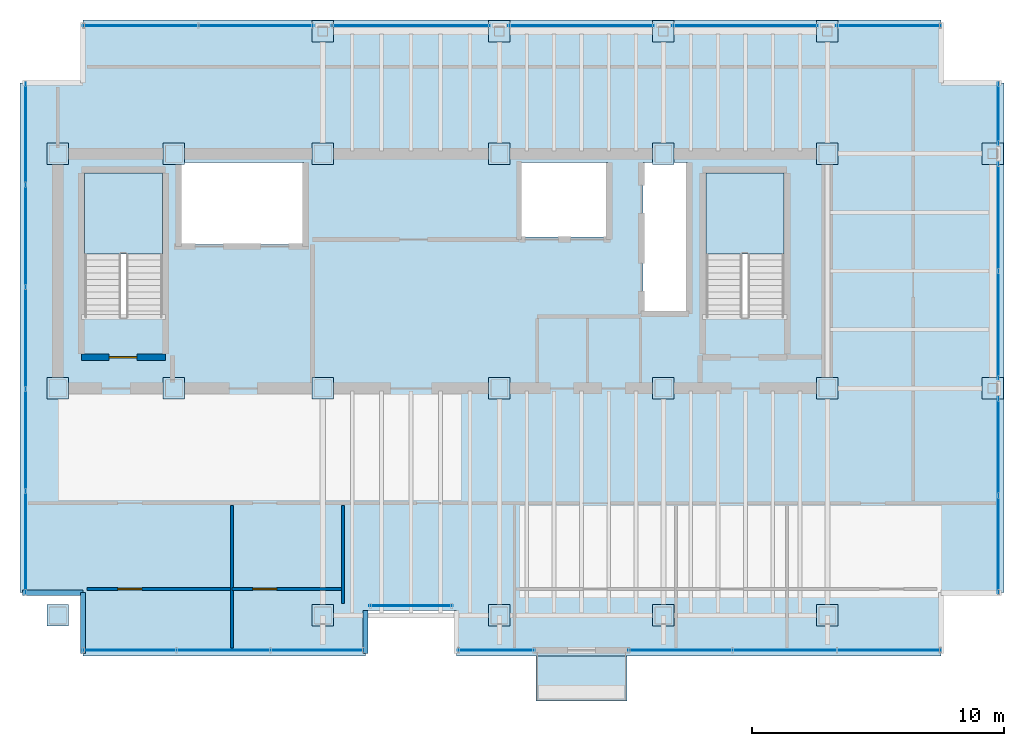
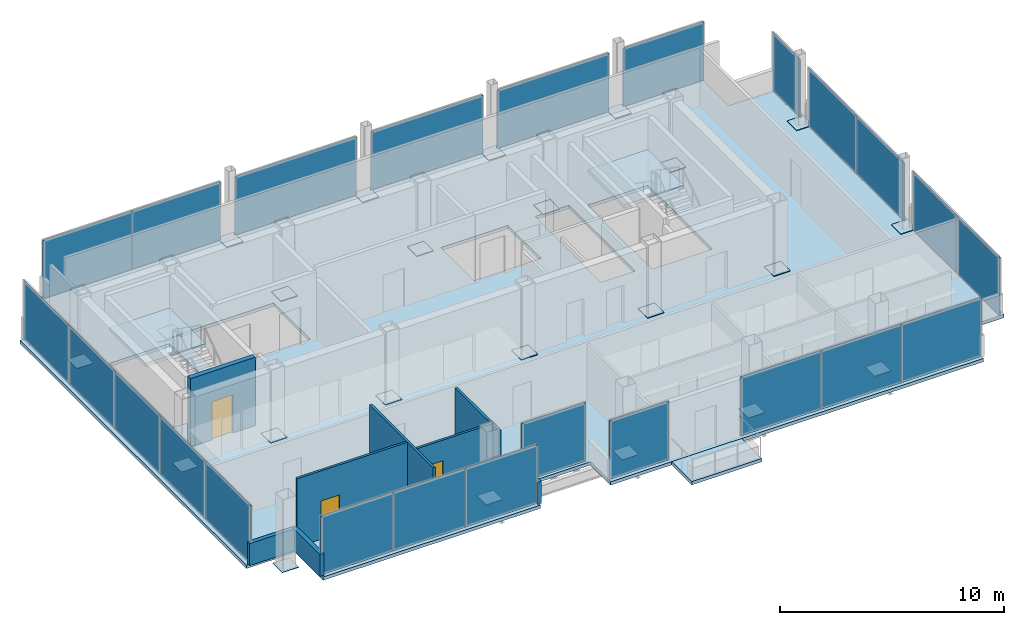
# One storey, part 13 of 17: 47 plates, 8 walls, 4 slabs, 3 doors, 8 openings, 15 elements without a shape of their own.
"""IFC4 building model written with IfcOpenShell, lengths in metres."""

from ifc_helpers import new_model, si_unit, direction, frame, frame_2d, origin, origin_2d, place, context, subcontext, project, spatial, polyline, rectangle, outline, extrude, material, layer, layer_set, type_object, element, fill, aggregate, save


model = new_model("IFC4")

# Units and contexts
model_context = context("Model", 3, precision=1e-05, world=origin(), true_north=direction((0.0, 1.0)))
body_context = subcontext(model_context, "Body", "Model", "MODEL_VIEW")
ifc_project = project(units=[si_unit("LENGTHUNIT", "METRE"), si_unit("AREAUNIT", "SQUARE_METRE"), si_unit("VOLUMEUNIT", "CUBIC_METRE"), si_unit("PLANEANGLEUNIT", "RADIAN"), si_unit("MASSUNIT", "GRAM", prefix="KILO")], contexts=[model_context])

# Site, building, storey
site_placement = place(None, origin())
site = spatial("IfcSite", under=ifc_project, at=site_placement, CompositionType="ELEMENT")
building_placement = place(site_placement, origin())
building = spatial("IfcBuilding", under=site, at=building_placement, Name="Noeulbin Bourse Tower", CompositionType="ELEMENT")
storey_placement = place(building_placement, frame((0.0, 0.0, 289.10009765625)))
storey = spatial("IfcBuildingStorey", under=building, at=storey_placement, Name="L72", CompositionType="ELEMENT", Elevation=289.10009765625)

# Curtain wall, plate
ifc_material_1 = material(Name="High-Selectivity Low-Iron Glazing", Category="glass")
curtain_wall_type = type_object("IfcCurtainWallType", Name="CW-SYS-4", PredefinedType="NOTDEFINED", material=ifc_material_1)
curtain_wall_1_placement = place(storey_placement, origin())
curtain_wall_1 = element("IfcCurtainWall", 1, at=curtain_wall_1_placement, inside=storey, type_object=curtain_wall_type, Name="Unitised Curtain Wall CW-L72-SREC", PredefinedType="NOTDEFINED")
ifc_layer_1 = layer(ifc_material_1, 0.035888671875)
ifc_layer_set_1 = layer_set([ifc_layer_1], Name="High-Selectivity Low-Iron Glazing")
plate_type_1 = type_object("IfcPlateType", Name="CW-SYS-4-PNL", PredefinedType="CURTAIN_PANEL", material=ifc_layer_set_1)
plate_1_placement = place(storey_placement, frame((27.5, 20.3798828125, 0.0), z_axis=(0.0, 0.0, 1.0), x_axis=(1.0, 0.0, 0.0)))
plate_1 = element("IfcPlate", 2, at=plate_1_placement, type_object=plate_type_1, Name="Glazed Curtain Panel CW-L72-SREC-P00", PredefinedType="CURTAIN_PANEL", context=body_context, shape_type="SweptSolid", body=[
    extrude(rectangle(XDim=3.300048828125, YDim=0.035888671875, at=origin_2d()), origin(), (0.0, 0.0, 1.0), 3.179931640625),
])
aggregate(curtain_wall_1, [plate_1])

# Curtain wall, plates
curtain_wall_2_placement = place(storey_placement, origin())
curtain_wall_2 = element("IfcCurtainWall", 3, at=curtain_wall_2_placement, inside=storey, type_object=curtain_wall_type, Name="Unitised Curtain Wall CW-L72-S1", PredefinedType="NOTDEFINED")
plate_2_placement = place(storey_placement, frame((16.341796875, 18.6201171875, 0.0), z_axis=(0.0, 0.0, 1.0), x_axis=(1.0, 0.0, 0.0)))
plate_2 = element("IfcPlate", 4, at=plate_2_placement, type_object=plate_type_1, Name="Glazed Curtain Panel CW-L72-S1-P00", PredefinedType="CURTAIN_PANEL", context=body_context, shape_type="SweptSolid", body=[
    extrude(rectangle(XDim=3.723388671875, YDim=0.035888671875, at=origin_2d()), origin(), (0.0, 0.0, 1.0), 3.179931640625),
])
plate_3_placement = place(storey_placement, frame((20.06494140625, 18.6201171875, 0.0), z_axis=(0.0, 0.0, 1.0), x_axis=(1.0, 0.0, 0.0)))
plate_3 = element("IfcPlate", 5, at=plate_3_placement, type_object=plate_type_1, Name="Glazed Curtain Panel CW-L72-S1-P01", PredefinedType="CURTAIN_PANEL", context=body_context, shape_type="SweptSolid", body=[
    extrude(rectangle(XDim=3.723388671875, YDim=0.035888671875, at=origin_2d()), origin(), (0.0, 0.0, 1.0), 3.179931640625),
])
plate_4_placement = place(storey_placement, frame((23.788330078125, 18.6201171875, 0.0), z_axis=(0.0, 0.0, 1.0), x_axis=(1.0, 0.0, 0.0)))
plate_4 = element("IfcPlate", 6, at=plate_4_placement, type_object=plate_type_1, Name="Glazed Curtain Panel CW-L72-S1-P02", PredefinedType="CURTAIN_PANEL", context=body_context, shape_type="SweptSolid", body=[
    extrude(rectangle(XDim=3.723388671875, YDim=0.035888671875, at=origin_2d()), origin(), (0.0, 0.0, 1.0), 3.179931640625),
])
aggregate(curtain_wall_2, [plate_2, plate_3, plate_4])

# Curtain wall, plate
curtain_wall_3_placement = place(storey_placement, origin())
curtain_wall_3 = element("IfcCurtainWall", 7, at=curtain_wall_3_placement, inside=storey, type_object=curtain_wall_type, Name="Unitised Curtain Wall CW-L72-S2", PredefinedType="NOTDEFINED")
plate_5_placement = place(storey_placement, frame((30.875, 18.6201171875, 0.0), z_axis=(0.0, 0.0, 1.0), x_axis=(1.0, 0.0, 0.0)))
plate_5 = element("IfcPlate", 8, at=plate_5_placement, type_object=plate_type_1, Name="Glazed Curtain Panel CW-L72-S2-P00", PredefinedType="CURTAIN_PANEL", context=body_context, shape_type="SweptSolid", body=[
    extrude(rectangle(XDim=3.050048828125, YDim=0.035888671875, at=origin_2d()), origin(), (0.0, 0.0, 1.0), 3.179931640625),
])
aggregate(curtain_wall_3, [plate_5])

# Curtain wall, plates
curtain_wall_4_placement = place(storey_placement, origin())
curtain_wall_4 = element("IfcCurtainWall", 9, at=curtain_wall_4_placement, inside=storey, type_object=curtain_wall_type, Name="Unitised Curtain Wall CW-L72-S3", PredefinedType="NOTDEFINED")
plate_6_placement = place(storey_placement, frame((38.169921875, 18.6201171875, 0.0), z_axis=(0.0, 0.0, 1.0), x_axis=(1.0, 0.0, 0.0)))
plate_6 = element("IfcPlate", 10, at=plate_6_placement, type_object=plate_type_1, Name="Glazed Curtain Panel CW-L72-S3-P00", PredefinedType="CURTAIN_PANEL", context=body_context, shape_type="SweptSolid", body=[
    extrude(rectangle(XDim=4.139892578125, YDim=0.035888671875, at=origin_2d()), origin(), (0.0, 0.0, 1.0), 3.179931640625),
])
plate_7_placement = place(storey_placement, frame((42.31005859375, 18.6201171875, 0.0), z_axis=(0.0, 0.0, 1.0), x_axis=(1.0, 0.0, 0.0)))
plate_7 = element("IfcPlate", 11, at=plate_7_placement, type_object=plate_type_1, Name="Glazed Curtain Panel CW-L72-S3-P01", PredefinedType="CURTAIN_PANEL", context=body_context, shape_type="SweptSolid", body=[
    extrude(rectangle(XDim=4.139892578125, YDim=0.035888671875, at=origin_2d()), origin(), (0.0, 0.0, 1.0), 3.179931640625),
])
plate_8_placement = place(storey_placement, frame((46.449951171875, 18.6201171875, 0.0), z_axis=(0.0, 0.0, 1.0), x_axis=(1.0, 0.0, 0.0)))
plate_8 = element("IfcPlate", 12, at=plate_8_placement, type_object=plate_type_1, Name="Glazed Curtain Panel CW-L72-S3-P02", PredefinedType="CURTAIN_PANEL", context=body_context, shape_type="SweptSolid", body=[
    extrude(rectangle(XDim=4.139892578125, YDim=0.035888671875, at=origin_2d()), origin(), (0.0, 0.0, 1.0), 3.179931640625),
])
aggregate(curtain_wall_4, [plate_6, plate_7, plate_8])

curtain_wall_5_placement = place(storey_placement, origin())
curtain_wall_5 = element("IfcCurtainWall", 13, at=curtain_wall_5_placement, inside=storey, type_object=curtain_wall_type, Name="Unitised Curtain Wall CW-L72-N-S1", PredefinedType="NOTDEFINED")
plate_9_placement = place(storey_placement, frame((16.77001953125, 43.3798828125, 0.0), z_axis=(0.0, 0.0, 1.0), x_axis=(1.0, 0.0, 0.0)))
plate_9 = element("IfcPlate", 14, at=plate_9_placement, type_object=plate_type_1, Name="Glazed Curtain Panel CW-L72-N-S1-P00", PredefinedType="CURTAIN_PANEL", context=body_context, shape_type="SweptSolid", body=[
    extrude(rectangle(XDim=4.580078125, YDim=0.035888671875, at=origin_2d()), origin(), (0.0, 0.0, 1.0), 3.179931640625),
])
plate_10_placement = place(storey_placement, frame((21.35009765625, 43.3798828125, 0.0), z_axis=(0.0, 0.0, 1.0), x_axis=(1.0, 0.0, 0.0)))
plate_10 = element("IfcPlate", 15, at=plate_10_placement, type_object=plate_type_1, Name="Glazed Curtain Panel CW-L72-N-S1-P01", PredefinedType="CURTAIN_PANEL", context=body_context, shape_type="SweptSolid", body=[
    extrude(rectangle(XDim=4.580078125, YDim=0.035888671875, at=origin_2d()), origin(), (0.0, 0.0, 1.0), 3.179931640625),
])
aggregate(curtain_wall_5, [plate_9, plate_10])

# Curtain wall, plate
curtain_wall_6_placement = place(storey_placement, origin())
curtain_wall_6 = element("IfcCurtainWall", 16, at=curtain_wall_6_placement, inside=storey, type_object=curtain_wall_type, Name="Unitised Curtain Wall CW-L72-N-S2", PredefinedType="NOTDEFINED")
plate_11_placement = place(storey_placement, frame((27.5, 43.3798828125, 0.0), z_axis=(0.0, 0.0, 1.0), x_axis=(1.0, 0.0, 0.0)))
plate_11 = element("IfcPlate", 17, at=plate_11_placement, type_object=plate_type_1, Name="Glazed Curtain Panel CW-L72-N-S2-P00", PredefinedType="CURTAIN_PANEL", context=body_context, shape_type="SweptSolid", body=[
    extrude(rectangle(XDim=6.280029296875, YDim=0.035888671875, at=origin_2d()), origin(), (0.0, 0.0, 1.0), 3.179931640625),
])
aggregate(curtain_wall_6, [plate_11])

curtain_wall_7_placement = place(storey_placement, origin())
curtain_wall_7 = element("IfcCurtainWall", 18, at=curtain_wall_7_placement, inside=storey, type_object=curtain_wall_type, Name="Unitised Curtain Wall CW-L72-N-S3", PredefinedType="NOTDEFINED")
plate_12_placement = place(storey_placement, frame((34.25, 43.3798828125, 0.0), z_axis=(0.0, 0.0, 1.0), x_axis=(1.0, 0.0, 0.0)))
plate_12 = element("IfcPlate", 19, at=plate_12_placement, type_object=plate_type_1, Name="Glazed Curtain Panel CW-L72-N-S3-P00", PredefinedType="CURTAIN_PANEL", context=body_context, shape_type="SweptSolid", body=[
    extrude(rectangle(XDim=5.780029296875, YDim=0.035888671875, at=origin_2d()), origin(), (0.0, 0.0, 1.0), 3.179931640625),
])
aggregate(curtain_wall_7, [plate_12])

curtain_wall_8_placement = place(storey_placement, origin())
curtain_wall_8 = element("IfcCurtainWall", 20, at=curtain_wall_8_placement, inside=storey, type_object=curtain_wall_type, Name="Unitised Curtain Wall CW-L72-N-S4", PredefinedType="NOTDEFINED")
plate_13_placement = place(storey_placement, frame((40.75, 43.3798828125, 0.0), z_axis=(0.0, 0.0, 1.0), x_axis=(1.0, 0.0, 0.0)))
plate_13 = element("IfcPlate", 21, at=plate_13_placement, type_object=plate_type_1, Name="Glazed Curtain Panel CW-L72-N-S4-P00", PredefinedType="CURTAIN_PANEL", context=body_context, shape_type="SweptSolid", body=[
    extrude(rectangle(XDim=5.780029296875, YDim=0.035888671875, at=origin_2d()), origin(), (0.0, 0.0, 1.0), 3.179931640625),
])
aggregate(curtain_wall_8, [plate_13])

curtain_wall_9_placement = place(storey_placement, origin())
curtain_wall_9 = element("IfcCurtainWall", 22, at=curtain_wall_9_placement, inside=storey, type_object=curtain_wall_type, Name="Unitised Curtain Wall CW-L72-N-S5", PredefinedType="NOTDEFINED")
plate_14_placement = place(storey_placement, frame((46.43994140625, 43.3798828125, 0.0), z_axis=(0.0, 0.0, 1.0), x_axis=(1.0, 0.0, 0.0)))
plate_14 = element("IfcPlate", 23, at=plate_14_placement, type_object=plate_type_1, Name="Glazed Curtain Panel CW-L72-N-S5-P00", PredefinedType="CURTAIN_PANEL", context=body_context, shape_type="SweptSolid", body=[
    extrude(rectangle(XDim=4.159912109375, YDim=0.035888671875, at=origin_2d()), origin(), (0.0, 0.0, 1.0), 3.179931640625),
])
aggregate(curtain_wall_9, [plate_14])

# Curtain wall, plates
curtain_wall_10_placement = place(storey_placement, origin())
curtain_wall_10 = element("IfcCurtainWall", 24, at=curtain_wall_10_placement, inside=storey, type_object=curtain_wall_type, Name="Unitised Curtain Wall CW-L72-W", PredefinedType="NOTDEFINED")
plate_15_placement = place(storey_placement, frame((12.219970703125, 22.904052734375, 0.0), z_axis=(0.0, 0.0, 1.0), x_axis=(0.0, 1.0, 0.0)))
plate_15 = element("IfcPlate", 25, at=plate_15_placement, type_object=plate_type_1, Name="Glazed Curtain Panel CW-L72-W-P00", PredefinedType="CURTAIN_PANEL", context=body_context, shape_type="SweptSolid", body=[
    extrude(rectangle(XDim=4.048095703125, YDim=0.035888671875, at=origin_2d()), origin(), (0.0, 0.0, 1.0), 3.179931640625),
])
plate_16_placement = place(storey_placement, frame((12.219970703125, 26.951904296875, 0.0), z_axis=(0.0, 0.0, 1.0), x_axis=(0.0, 1.0, 0.0)))
plate_16 = element("IfcPlate", 26, at=plate_16_placement, type_object=plate_type_1, Name="Glazed Curtain Panel CW-L72-W-P01", PredefinedType="CURTAIN_PANEL", context=body_context, shape_type="SweptSolid", body=[
    extrude(rectangle(XDim=4.048095703125, YDim=0.035888671875, at=origin_2d()), origin(), (0.0, 0.0, 1.0), 3.179931640625),
])
plate_17_placement = place(storey_placement, frame((12.219970703125, 31.0, 0.0), z_axis=(0.0, 0.0, 1.0), x_axis=(0.0, 1.0, 0.0)))
plate_17 = element("IfcPlate", 27, at=plate_17_placement, type_object=plate_type_1, Name="Glazed Curtain Panel CW-L72-W-P02", PredefinedType="CURTAIN_PANEL", context=body_context, shape_type="SweptSolid", body=[
    extrude(rectangle(XDim=4.048095703125, YDim=0.035888671875, at=origin_2d()), origin(), (0.0, 0.0, 1.0), 3.179931640625),
])
plate_18_placement = place(storey_placement, frame((12.219970703125, 35.048095703125, 0.0), z_axis=(0.0, 0.0, 1.0), x_axis=(0.0, 1.0, 0.0)))
plate_18 = element("IfcPlate", 28, at=plate_18_placement, type_object=plate_type_1, Name="Glazed Curtain Panel CW-L72-W-P03", PredefinedType="CURTAIN_PANEL", context=body_context, shape_type="SweptSolid", body=[
    extrude(rectangle(XDim=4.048095703125, YDim=0.035888671875, at=origin_2d()), origin(), (0.0, 0.0, 1.0), 3.179931640625),
])
plate_19_placement = place(storey_placement, frame((12.219970703125, 39.095947265625, 0.0), z_axis=(0.0, 0.0, 1.0), x_axis=(0.0, 1.0, 0.0)))
plate_19 = element("IfcPlate", 29, at=plate_19_placement, type_object=plate_type_1, Name="Glazed Curtain Panel CW-L72-W-P04", PredefinedType="CURTAIN_PANEL", context=body_context, shape_type="SweptSolid", body=[
    extrude(rectangle(XDim=4.048095703125, YDim=0.035888671875, at=origin_2d()), origin(), (0.0, 0.0, 1.0), 3.179931640625),
])
aggregate(curtain_wall_10, [plate_15, plate_16, plate_17, plate_18, plate_19])

curtain_wall_11_placement = place(storey_placement, origin())
curtain_wall_11 = element("IfcCurtainWall", 30, at=curtain_wall_11_placement, inside=storey, type_object=curtain_wall_type, Name="Unitised Curtain Wall CW-L72-E-S1", PredefinedType="NOTDEFINED")
plate_20_placement = place(storey_placement, frame((50.780029296875, 22.820068359375, 0.0), z_axis=(0.0, 0.0, 1.0), x_axis=(0.0, 1.0, 0.0)))
plate_20 = element("IfcPlate", 31, at=plate_20_placement, type_object=plate_type_1, Name="Glazed Curtain Panel CW-L72-E-S1-P00", PredefinedType="CURTAIN_PANEL", context=body_context, shape_type="SweptSolid", body=[
    extrude(rectangle(XDim=3.8798828125, YDim=0.035888671875, at=origin_2d()), origin(), (0.0, 0.0, 1.0), 3.179931640625),
])
plate_21_placement = place(storey_placement, frame((50.780029296875, 26.699951171875, 0.0), z_axis=(0.0, 0.0, 1.0), x_axis=(0.0, 1.0, 0.0)))
plate_21 = element("IfcPlate", 32, at=plate_21_placement, type_object=plate_type_1, Name="Glazed Curtain Panel CW-L72-E-S1-P01", PredefinedType="CURTAIN_PANEL", context=body_context, shape_type="SweptSolid", body=[
    extrude(rectangle(XDim=3.8798828125, YDim=0.035888671875, at=origin_2d()), origin(), (0.0, 0.0, 1.0), 3.179931640625),
])
aggregate(curtain_wall_11, [plate_20, plate_21])

curtain_wall_12_placement = place(storey_placement, origin())
curtain_wall_12 = element("IfcCurtainWall", 33, at=curtain_wall_12_placement, inside=storey, type_object=curtain_wall_type, Name="Unitised Curtain Wall CW-L72-E-S2", PredefinedType="NOTDEFINED")
plate_22_placement = place(storey_placement, frame((50.780029296875, 31.5048828125, 0.0), z_axis=(0.0, 0.0, 1.0), x_axis=(0.0, 1.0, 0.0)))
plate_22 = element("IfcPlate", 34, at=plate_22_placement, type_object=plate_type_1, Name="Glazed Curtain Panel CW-L72-E-S2-P00", PredefinedType="CURTAIN_PANEL", context=body_context, shape_type="SweptSolid", body=[
    extrude(rectangle(XDim=4.2900390625, YDim=0.035888671875, at=origin_2d()), origin(), (0.0, 0.0, 1.0), 3.179931640625),
])
plate_23_placement = place(storey_placement, frame((50.780029296875, 35.794921875, 0.0), z_axis=(0.0, 0.0, 1.0), x_axis=(0.0, 1.0, 0.0)))
plate_23 = element("IfcPlate", 35, at=plate_23_placement, type_object=plate_type_1, Name="Glazed Curtain Panel CW-L72-E-S2-P01", PredefinedType="CURTAIN_PANEL", context=body_context, shape_type="SweptSolid", body=[
    extrude(rectangle(XDim=4.2900390625, YDim=0.035888671875, at=origin_2d()), origin(), (0.0, 0.0, 1.0), 3.179931640625),
])
aggregate(curtain_wall_12, [plate_22, plate_23])

# Curtain wall, plate
curtain_wall_13_placement = place(storey_placement, origin())
curtain_wall_13 = element("IfcCurtainWall", 36, at=curtain_wall_13_placement, inside=storey, type_object=curtain_wall_type, Name="Unitised Curtain Wall CW-L72-E-S3", PredefinedType="NOTDEFINED")
plate_24_placement = place(storey_placement, frame((50.780029296875, 39.889892578125, 0.0), z_axis=(0.0, 0.0, 1.0), x_axis=(0.0, 1.0, 0.0)))
plate_24 = element("IfcPlate", 37, at=plate_24_placement, type_object=plate_type_1, Name="Glazed Curtain Panel CW-L72-E-S3-P00", PredefinedType="CURTAIN_PANEL", context=body_context, shape_type="SweptSolid", body=[
    extrude(rectangle(XDim=2.4599609375, YDim=0.035888671875, at=origin_2d()), origin(), (0.0, 0.0, 1.0), 3.179931640625),
])
aggregate(curtain_wall_13, [plate_24])

# Plates
ifc_material_2 = material(Name="Steel S355", Category="steel")
ifc_layer_2 = layer(ifc_material_2, 0.030029296875)
ifc_layer_set_2 = layer_set([ifc_layer_2], Name="Steel S355")
plate_type_2 = type_object("IfcPlateType", Name="PLT-BN1", PredefinedType="USERDEFINED", material=ifc_layer_set_2)
for number, where, z_axis, x_axis, name in (
    (38, (13.5, 29.0, 0.0048828125), (0.0, 0.0, 1.0), (1.0, 0.0, 0.0), "Mega-Column Splice Plate BN1-L72-01"),
    (39, (13.5, 38.300048828125, 0.0048828125), (0.0, 0.0, 1.0), (1.0, 0.0, 0.0), "Mega-Column Splice Plate BN1-L72-02"),
    (40, (18.10009765625, 29.0, 0.0048828125), (0.0, 0.0, 1.0), (1.0, 0.0, 0.0), "Mega-Column Splice Plate BN1-L72-03"),
    (41, (18.10009765625, 38.300048828125, 0.0048828125), (0.0, 0.0, 1.0), (1.0, 0.0, 0.0), "Mega-Column Splice Plate BN1-L72-04"),
    (42, (24.0, 29.0, 0.0048828125), (0.0, 0.0, 1.0), (1.0, 0.0, 0.0), "Mega-Column Splice Plate BN1-L72-05"),
    (43, (24.0, 38.300048828125, 0.0048828125), (0.0, 0.0, 1.0), (1.0, 0.0, 0.0), "Mega-Column Splice Plate BN1-L72-06"),
    (44, (31.0, 29.0, 0.0048828125), (0.0, 0.0, 1.0), (1.0, 0.0, 0.0), "Mega-Column Splice Plate BN1-L72-07"),
    (45, (31.0, 38.300048828125, 0.0048828125), (0.0, 0.0, 1.0), (1.0, 0.0, 0.0), "Mega-Column Splice Plate BN1-L72-08"),
    (46, (37.5, 29.0, 0.0048828125), (0.0, 0.0, 1.0), (1.0, 0.0, 0.0), "Mega-Column Splice Plate BN1-L72-09"),
    (47, (37.5, 38.300048828125, 0.0048828125), (0.0, 0.0, 1.0), (1.0, 0.0, 0.0), "Mega-Column Splice Plate BN1-L72-10"),
    (48, (44.0, 29.0, 0.0048828125), (0.0, 0.0, 1.0), (1.0, 0.0, 0.0), "Mega-Column Splice Plate BN1-L72-11"),
    (49, (44.0, 38.300048828125, 0.0048828125), (0.0, 0.0, 1.0), (1.0, 0.0, 0.0), "Mega-Column Splice Plate BN1-L72-12"),
    (50, (13.5, 20.0, 0.0048828125), (0.0, 0.0, 1.0), (1.0, 0.0, 0.0), "Mega-Column Splice Plate BN1-L72-13"),
    (51, (24.0, 20.0, 0.0048828125), (0.0, 0.0, 1.0), (1.0, 0.0, 0.0), "Mega-Column Splice Plate BN1-L72-14"),
    (52, (31.0, 20.0, 0.0048828125), (0.0, 0.0, 1.0), (1.0, 0.0, 0.0), "Mega-Column Splice Plate BN1-L72-15"),
    (53, (37.5, 20.0, 0.0048828125), (0.0, 0.0, 1.0), (1.0, 0.0, 0.0), "Mega-Column Splice Plate BN1-L72-16"),
    (54, (44.0, 20.0, 0.0048828125), (0.0, 0.0, 1.0), (1.0, 0.0, 0.0), "Mega-Column Splice Plate BN1-L72-17"),
    (55, (24.0, 43.14990234375, 0.0048828125), (0.0, 0.0, 1.0), (1.0, 0.0, 0.0), "Perimeter Column Splice Plate BN1-L72-01"),
    (56, (31.0, 43.14990234375, 0.0048828125), (0.0, 0.0, 1.0), (1.0, 0.0, 0.0), "Perimeter Column Splice Plate BN1-L72-02"),
    (57, (37.5, 43.14990234375, 0.0048828125), (0.0, 0.0, 1.0), (1.0, 0.0, 0.0), "Perimeter Column Splice Plate BN1-L72-03"),
    (58, (44.0, 43.14990234375, 0.0048828125), (0.0, 0.0, 1.0), (1.0, 0.0, 0.0), "Perimeter Column Splice Plate BN1-L72-04"),
    (59, (50.550048828125, 29.0, 0.0048828125), (0.0, 0.0, 1.0), (1.0, 0.0, 0.0), "Perimeter Column Splice Plate BN1-L72-05"),
    (60, (50.550048828125, 38.300048828125, 0.0048828125), (0.0, 0.0, 1.0), (1.0, 0.0, 0.0), "Perimeter Column Splice Plate BN1-L72-06"),
):
    element("IfcPlate", number, at=place(storey_placement, frame(where, z_axis=z_axis, x_axis=x_axis)), inside=storey, type_object=plate_type_2, Name=name, ObjectType="SPLICE PLATE", PredefinedType="USERDEFINED", context=body_context, shape_type="SweptSolid", body=[
        extrude(rectangle(XDim=0.85009765625, YDim=0.85009765625, at=origin_2d()), origin(), (0.0, 0.0, 1.0), 0.030029296875),
    ])

# Stair, slab
ifc_material_3 = material(Name="Concrete C40/50", Category="concrete")
stair_type = type_object("IfcStairType", Name="STR-CORE-1560", PredefinedType="HALF_TURN_STAIR", material=ifc_material_3)
stair_1_placement = place(storey_placement, origin())
stair_1 = element("IfcStair", 61, at=stair_1_placement, inside=storey, type_object=stair_type, Name="L72 ST-1", PredefinedType="HALF_TURN_STAIR")
ifc_layer_3 = layer(ifc_material_3, 0.199951171875)
ifc_layer_set_3 = layer_set([ifc_layer_3], Name="Concrete C40/50")
slab_type_1 = type_object("IfcSlabType", Name="SLB-LND-200", PredefinedType="LANDING", material=ifc_layer_set_3)
slab_1_placement = place(storey_placement, frame((0.0, 0.0, 1.75)))
slab_1 = element("IfcSlab", 62, at=slab_1_placement, type_object=slab_type_1, Name="ST-1 landing 1", PredefinedType="LANDING", context=body_context, shape_type="SweptSolid", body=[
    extrude(outline(polyline([(17.64990234375, 34.330078125), (17.64990234375, 37.5439453125), (14.550048828125, 37.5439453125), (14.550048828125, 34.330078125), (17.64990234375, 34.330078125)])), origin(), (0.0, 0.0, 1.0), 0.199951171875),
])
aggregate(stair_1, [slab_1])

stair_2_placement = place(storey_placement, origin())
stair_2 = element("IfcStair", 63, at=stair_2_placement, inside=storey, type_object=stair_type, Name="L72 ST-2", PredefinedType="HALF_TURN_STAIR")
slab_2_placement = place(storey_placement, frame((0.0, 0.0, 1.75)))
slab_2 = element("IfcSlab", 64, at=slab_2_placement, type_object=slab_type_1, Name="ST-2 landing 1", PredefinedType="LANDING", context=body_context, shape_type="SweptSolid", body=[
    extrude(outline(polyline([(42.280029296875, 34.330078125), (42.280029296875, 37.5439453125), (39.179931640625, 37.5439453125), (39.179931640625, 34.330078125), (42.280029296875, 34.330078125)])), origin(), (0.0, 0.0, 1.0), 0.199951171875),
])
aggregate(stair_2, [slab_2])

# Slab, openings
ifc_layer_4 = layer(ifc_material_3, 0.179931640625)
ifc_layer_set_4 = layer_set([ifc_layer_4], Name="Concrete C40/50")
slab_type_2 = type_object("IfcSlabType", Name="SLB-TYP-180", PredefinedType="FLOOR", material=ifc_layer_set_4)
slab_3_placement = place(storey_placement, frame((0.0, 0.0, -0.18017578125)))
slab_3 = element("IfcSlab", 65, at=slab_3_placement, inside=storey, type_object=slab_type_2, Name="Tower Structural Floor Slab L72", PredefinedType="FLOOR", context=body_context, shape_type="SweptSolid", body=[
    extrude(outline(polyline([(14.5, 18.39990234375), (25.699951171875, 18.39990234375), (25.699951171875, 20.199951171875), (29.300048828125, 20.199951171875), (29.300048828125, 18.39990234375), (48.5, 18.39990234375), (48.5, 20.89990234375), (51.0, 20.89990234375), (51.0, 41.10009765625), (48.5, 41.10009765625), (48.5, 43.60009765625), (14.5, 43.60009765625), (14.5, 41.10009765625), (12.0, 41.10009765625), (12.0, 20.89990234375), (14.5, 20.89990234375), (14.5, 18.39990234375)]), holes=[polyline([(17.64990234375, 31.81005859375), (17.64990234375, 37.5439453125), (14.550048828125, 37.5439453125), (14.550048828125, 31.81005859375), (17.64990234375, 31.81005859375)]), polyline([(42.280029296875, 31.81005859375), (42.280029296875, 37.5439453125), (39.179931640625, 37.5439453125), (39.179931640625, 31.81005859375), (42.280029296875, 31.81005859375)]), polyline([(18.35009765625, 34.699951171875), (23.25, 34.699951171875), (23.25, 37.949951171875), (18.35009765625, 37.949951171875), (18.35009765625, 34.699951171875)]), polyline([(36.699951171875, 32.050048828125), (38.449951171875, 32.050048828125), (38.449951171875, 37.949951171875), (36.699951171875, 37.949951171875), (36.699951171875, 32.050048828125)]), polyline([(31.85009765625, 35.0), (35.300048828125, 35.0), (35.300048828125, 37.949951171875), (31.85009765625, 37.949951171875), (31.85009765625, 35.0)])]), origin(), (0.0, 0.0, 1.0), 0.18017578125),
])
opening_1_placement = place(slab_3_placement, frame((0.0, 0.0, -0.010009765625)))
element("IfcOpeningElement", 66, at=opening_1_placement, cuts=slab_3, Name="Slab Shaft Opening SLB-L72-TWR-1", PredefinedType="OPENING", context=body_context, shape_type="SweptSolid", body=[
    extrude(outline(polyline([(17.64990234375, 31.81005859375), (17.64990234375, 37.5439453125), (14.550048828125, 37.5439453125), (14.550048828125, 31.81005859375), (17.64990234375, 31.81005859375)])), origin(), (0.0, 0.0, 1.0), 0.2001953125),
])
opening_2_placement = place(slab_3_placement, frame((0.0, 0.0, -0.010009765625)))
element("IfcOpeningElement", 67, at=opening_2_placement, cuts=slab_3, Name="Slab Shaft Opening SLB-L72-TWR-2", PredefinedType="OPENING", context=body_context, shape_type="SweptSolid", body=[
    extrude(outline(polyline([(42.280029296875, 31.81005859375), (42.280029296875, 37.5439453125), (39.179931640625, 37.5439453125), (39.179931640625, 31.81005859375), (42.280029296875, 31.81005859375)])), origin(), (0.0, 0.0, 1.0), 0.2001953125),
])
opening_3_placement = place(slab_3_placement, frame((0.0, 0.0, -0.010009765625)))
element("IfcOpeningElement", 68, at=opening_3_placement, cuts=slab_3, Name="Slab Shaft Opening SLB-L72-TWR-3", PredefinedType="OPENING", context=body_context, shape_type="SweptSolid", body=[
    extrude(outline(polyline([(18.35009765625, 34.699951171875), (23.25, 34.699951171875), (23.25, 37.949951171875), (18.35009765625, 37.949951171875), (18.35009765625, 34.699951171875)])), origin(), (0.0, 0.0, 1.0), 0.2001953125),
])
opening_4_placement = place(slab_3_placement, frame((0.0, 0.0, -0.010009765625)))
element("IfcOpeningElement", 69, at=opening_4_placement, cuts=slab_3, Name="Slab Shaft Opening SLB-L72-TWR-4", PredefinedType="OPENING", context=body_context, shape_type="SweptSolid", body=[
    extrude(outline(polyline([(36.699951171875, 32.050048828125), (38.449951171875, 32.050048828125), (38.449951171875, 37.949951171875), (36.699951171875, 37.949951171875), (36.699951171875, 32.050048828125)])), origin(), (0.0, 0.0, 1.0), 0.2001953125),
])
opening_5_placement = place(slab_3_placement, frame((0.0, 0.0, -0.010009765625)))
element("IfcOpeningElement", 70, at=opening_5_placement, cuts=slab_3, Name="Slab Shaft Opening SLB-L72-TWR-5", PredefinedType="OPENING", context=body_context, shape_type="SweptSolid", body=[
    extrude(outline(polyline([(31.85009765625, 35.0), (35.300048828125, 35.0), (35.300048828125, 37.949951171875), (31.85009765625, 37.949951171875), (31.85009765625, 35.0)])), origin(), (0.0, 0.0, 1.0), 0.2001953125),
])

# Slab
slab_4_placement = place(storey_placement, frame((0.0, 0.0, -0.18017578125)))
element("IfcSlab", 71, at=slab_4_placement, inside=storey, type_object=slab_type_2, Name="Cantilevered Tree-Balcony Slab L72", PredefinedType="FLOOR", context=body_context, shape_type="SweptSolid", body=[
    extrude(outline(polyline([(32.449951171875, 16.60009765625), (36.050048828125, 16.60009765625), (36.050048828125, 18.39990234375), (32.449951171875, 18.39990234375), (32.449951171875, 16.60009765625)])), origin(), (0.0, 0.0, 1.0), 0.18017578125),
])

# Walls
ifc_layer_5 = layer(ifc_material_3, 0.199951171875)
ifc_layer_set_5 = layer_set([ifc_layer_5], Name="Concrete C40/50")
wall_type_1 = type_object("IfcWallType", Name="WAL-PAR-200", PredefinedType="PARAPET", material=ifc_layer_set_5)
for number, where, z_axis, x_axis, name in (
    (72, (12.10009765625, 20.89990234375, 0.0), (0.0, 0.0, 1.0), (1.0, 0.0, 0.0), "Corner Notch Parapet L72-SW1"),
    (73, (14.5, 20.89990234375, 0.0), (0.0, 0.0, 1.0), (0.0, -1.0, 0.0), "Corner Notch Parapet L72-SW2"),
):
    element("IfcWall", number, at=place(storey_placement, frame(where, z_axis=z_axis, x_axis=x_axis)), inside=storey, type_object=wall_type_1, Name=name, PredefinedType="PARAPET", context=body_context, shape_type="SweptSolid", body=[
        extrude(rectangle(XDim=2.39990234375, YDim=0.199951171875, at=frame_2d((1.199951171875, 0.0))), origin(), (0.0, 0.0, 1.0), 1.199951171875),
    ])
wall_1_placement = place(storey_placement, frame((25.699951171875, 18.5, 0.0), z_axis=(0.0, 0.0, 1.0), x_axis=(0.0, 1.0, 0.0)))
element("IfcWall", 74, at=wall_1_placement, inside=storey, type_object=wall_type_1, Name="Sky-Garden Recess Parapet L72-W", PredefinedType="PARAPET", context=body_context, shape_type="SweptSolid", body=[
    extrude(rectangle(XDim=1.699951171875, YDim=0.199951171875, at=frame_2d((0.85009765625, 0.0))), origin(), (0.0, 0.0, 1.0), 1.199951171875),
])

# Wall, opening, door
ifc_material_4 = material(Name="Steel Stud Gypsum Partition", Category="steel")
ifc_layer_6 = layer(ifc_material_4, 0.1201171875)
ifc_layer_set_6 = layer_set([ifc_layer_6], Name="Steel Stud Gypsum Partition")
wall_type_2 = type_object("IfcWallType", Name="WAL-PRT-120", PredefinedType="PARTITIONING", material=ifc_layer_set_6)
wall_2_placement = place(storey_placement, frame((14.659912109375, 21.050048828125, 0.0), z_axis=(0.0, 0.0, 1.0), x_axis=(1.0, 0.0, 0.0)))
wall_2 = element("IfcWall", 75, at=wall_2_placement, inside=storey, type_object=wall_type_2, Name="Interior Partition Wall L72-05", PredefinedType="PARTITIONING", context=body_context, shape_type="SweptSolid", body=[
    extrude(rectangle(XDim=5.739990234375, YDim=0.1201171875, at=frame_2d((2.8701171875, 0.0))), origin(), (0.0, 0.0, 1.0), 3.719970703125),
])
opening_6_placement = place(wall_2_placement, frame((1.219970703125, 0.0, 0.0)))
opening_6 = element("IfcOpeningElement", 76, at=opening_6_placement, cuts=wall_2, Name="Opening ID-09", PredefinedType="OPENING", context=body_context, shape_type="SweptSolid", body=[
    extrude(rectangle(XDim=0.949951171875, YDim=2.080078125, at=frame_2d((0.47509765625, 1.0400390625))), frame((0.0, 0.070068359375, 0.0), z_axis=(0.0, -1.0, 0.0), x_axis=(1.0, 0.0, 0.0)), (0.0, 0.0, 1.0), 0.14013671875),
])
ifc_material_5 = material(Name="Acoustic Solid-Core Timber", Category="wood")
door_type_1 = type_object("IfcDoorType", Name="DR-SINGLE-950", OperationType="SINGLE_SWING_LEFT", PredefinedType="DOOR", material=ifc_material_5)
door_1_placement = place(opening_6_placement, origin())
door_1 = element("IfcDoor", 77, at=door_1_placement, inside=storey, type_object=door_type_1, Name="Interior Door L72-08", OperationType="SINGLE_SWING_LEFT", OverallHeight=2.080078125, OverallWidth=0.949951171875, PredefinedType="DOOR", context=body_context, shape_type="SweptSolid", body=[
    extrude(rectangle(XDim=0.949951171875, YDim=2.080078125, at=frame_2d((0.47509765625, 1.0400390625))), frame((0.0, 0.02490234375, 0.0), z_axis=(0.0, -1.0, 0.0), x_axis=(1.0, 0.0, 0.0)), (0.0, 0.0, 1.0), 0.050048828125),
])
fill(opening_6, door_1)

wall_3_placement = place(storey_placement, frame((20.39990234375, 21.050048828125, 0.0), z_axis=(0.0, 0.0, 1.0), x_axis=(1.0, 0.0, 0.0)))
wall_3 = element("IfcWall", 78, at=wall_3_placement, inside=storey, type_object=wall_type_2, Name="Interior Partition Wall L72-06", PredefinedType="PARTITIONING", context=body_context, shape_type="SweptSolid", body=[
    extrude(rectangle(XDim=4.400146484375, YDim=0.1201171875, at=frame_2d((2.2001953125, 0.0))), origin(), (0.0, 0.0, 1.0), 3.199951171875),
])
opening_7_placement = place(wall_3_placement, frame((0.824951171875, 0.0, 0.0)))
opening_7 = element("IfcOpeningElement", 79, at=opening_7_placement, cuts=wall_3, Name="Opening ID-09", PredefinedType="OPENING", context=body_context, shape_type="SweptSolid", body=[
    extrude(rectangle(XDim=0.949951171875, YDim=2.080078125, at=frame_2d((0.47509765625, 1.0400390625))), frame((0.0, 0.070068359375, 0.0), z_axis=(0.0, -1.0, 0.0), x_axis=(1.0, 0.0, 0.0)), (0.0, 0.0, 1.0), 0.14013671875),
])
door_2_placement = place(opening_7_placement, origin())
door_2 = element("IfcDoor", 80, at=door_2_placement, inside=storey, type_object=door_type_1, Name="Interior Door L72-10", OperationType="SINGLE_SWING_LEFT", OverallHeight=2.080078125, OverallWidth=0.949951171875, PredefinedType="DOOR", context=body_context, shape_type="SweptSolid", body=[
    extrude(rectangle(XDim=0.949951171875, YDim=2.080078125, at=frame_2d((0.47509765625, 1.0400390625))), frame((0.0, 0.02490234375, 0.0), z_axis=(0.0, -1.0, 0.0), x_axis=(1.0, 0.0, 0.0)), (0.0, 0.0, 1.0), 0.050048828125),
])
fill(opening_7, door_2)

# Walls
wall_4_placement = place(storey_placement, frame((20.39990234375, 18.7099609375, 0.0), z_axis=(0.0, 0.0, 1.0), x_axis=(0.0, 1.0, 0.0)))
element("IfcWall", 81, at=wall_4_placement, inside=storey, type_object=wall_type_2, Name="Interior Partition Wall L72-18", PredefinedType="PARTITIONING", context=body_context, shape_type="SweptSolid", body=[
    extrude(rectangle(XDim=5.655029296875, YDim=0.1201171875, at=frame_2d((2.82763671875, 0.0))), origin(), (0.0, 0.0, 1.0), 3.719970703125),
])
wall_5_placement = place(storey_placement, frame((24.800048828125, 20.469970703125, 0.0), z_axis=(0.0, 0.0, 1.0), x_axis=(0.0, 1.0, 0.0)))
element("IfcWall", 82, at=wall_5_placement, inside=storey, type_object=wall_type_2, Name="Interior Partition Wall L72-19", PredefinedType="PARTITIONING", context=body_context, shape_type="SweptSolid", body=[
    extrude(rectangle(XDim=3.89501953125, YDim=0.1201171875, at=frame_2d((1.947509765625, 0.0))), origin(), (0.0, 0.0, 1.0), 3.099853515625),
])

# Wall, opening, door
ifc_layer_7 = layer(ifc_material_3, 0.25)
ifc_layer_set_7 = layer_set([ifc_layer_7], Name="Concrete C40/50")
wall_type_3 = type_object("IfcWallType", Name="WAL-SHFT-250", PredefinedType="STANDARD", material=ifc_layer_set_7)
wall_6_placement = place(storey_placement, frame((14.429931640625, 30.235107421875, 0.0), z_axis=(0.0, 0.0, 1.0), x_axis=(1.0, 0.0, 0.0)))
wall_6 = element("IfcWall", 83, at=wall_6_placement, inside=storey, type_object=wall_type_3, Name="Stair ST-1 South Shaft Wall L72", PredefinedType="STANDARD", context=body_context, shape_type="SweptSolid", body=[
    extrude(rectangle(XDim=3.340087890625, YDim=0.25, at=frame_2d((1.669921875, 0.0))), origin(), (0.0, 0.0, 1.0), 3.719970703125),
])
opening_8_placement = place(wall_6_placement, frame((1.10009765625, 0.0, 0.0)))
opening_8 = element("IfcOpeningElement", 84, at=opening_8_placement, cuts=wall_6, Name="Opening FD-11", PredefinedType="OPENING", context=body_context, shape_type="SweptSolid", body=[
    extrude(rectangle(XDim=1.10009765625, YDim=2.080078125, at=frame_2d((0.550048828125, 1.0400390625))), frame((0.0, 0.135009765625, 0.0), z_axis=(0.0, -1.0, 0.0), x_axis=(1.0, 0.0, 0.0)), (0.0, 0.0, 1.0), 0.27001953125),
])
ifc_material_6 = material(Name="Fire-Rated Insulated Steel", Category="steel")
door_type_2 = type_object("IfcDoorType", Name="DR-FD60-1100", OperationType="SINGLE_SWING_LEFT", PredefinedType="DOOR", material=ifc_material_6)
door_3_placement = place(opening_8_placement, origin())
door_3 = element("IfcDoor", 85, at=door_3_placement, inside=storey, type_object=door_type_2, Name="Protected Stair Entry Door ST1-L72", OperationType="SINGLE_SWING_RIGHT", OverallHeight=2.080078125, OverallWidth=1.10009765625, PredefinedType="DOOR", context=body_context, shape_type="SweptSolid", body=[
    extrude(rectangle(XDim=1.10009765625, YDim=2.080078125, at=frame_2d((0.550048828125, 1.0400390625))), frame((0.0, 0.02490234375, 0.0), z_axis=(0.0, -1.0, 0.0), x_axis=(1.0, 0.0, 0.0)), (0.0, 0.0, 1.0), 0.050048828125),
])
fill(opening_8, door_3)

save(model, "model.ifc")
